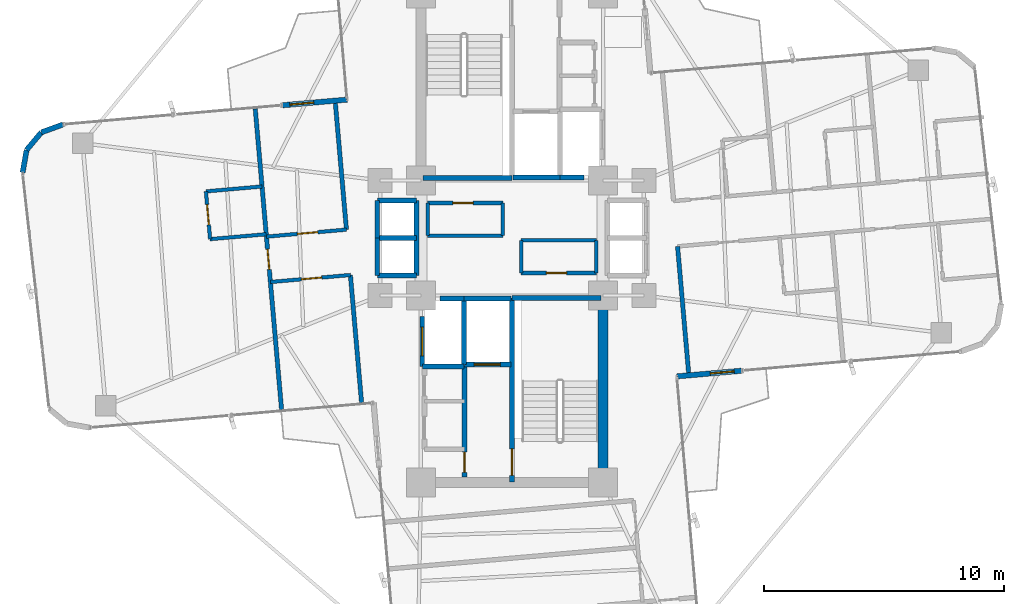
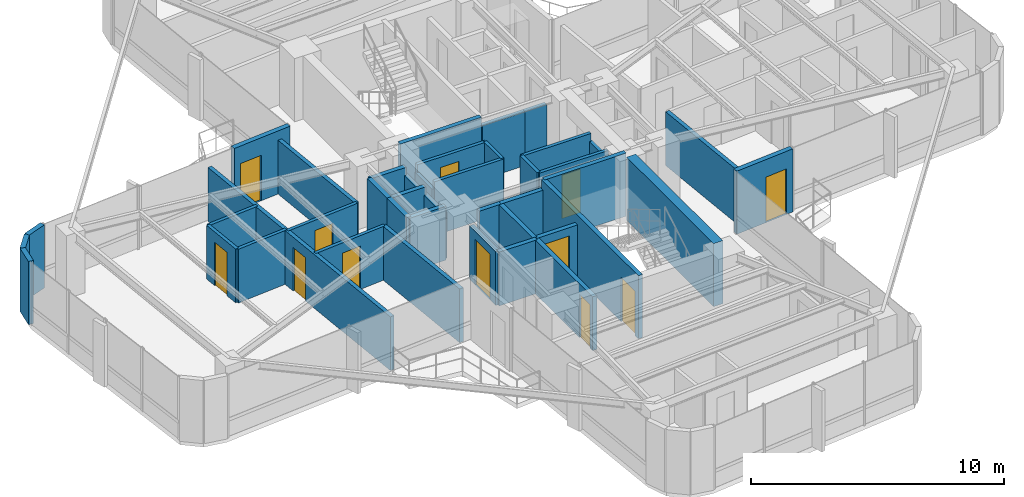
# One storey, part 21 of 24: 41 walls, 12 doors, 12 openings.
"""IFC4 building model written with IfcOpenShell, lengths in metres."""

from ifc_helpers import new_model, si_unit, direction, frame, frame_2d, origin, origin_2d, place, context, subcontext, project, spatial, rectangle, extrude, source, transform, mapped, material, layer, layer_set, type_object, element, fill, save


model = new_model("IFC4")

# Units and contexts
model_context = context("Model", 3, precision=1e-05, world=origin(), true_north=direction((0.0, 1.0)))
body_context = subcontext(model_context, "Body", "Model", "MODEL_VIEW")
ifc_project = project(units=[si_unit("LENGTHUNIT", "METRE"), si_unit("AREAUNIT", "SQUARE_METRE"), si_unit("VOLUMEUNIT", "CUBIC_METRE"), si_unit("PLANEANGLEUNIT", "RADIAN"), si_unit("MASSUNIT", "GRAM", prefix="KILO")], contexts=[model_context])

# Site, building, storey
site_placement = place(None, origin())
site = spatial("IfcSite", under=ifc_project, at=site_placement, CompositionType="ELEMENT")
building_placement = place(site_placement, origin())
building = spatial("IfcBuilding", under=site, at=building_placement, Name="Sahyath Konkavel Grand Hotel", CompositionType="ELEMENT")
storey_placement = place(building_placement, frame((0.0, 0.0, 167.35009765625)))
storey = spatial("IfcBuildingStorey", under=building, at=storey_placement, Name="L46", CompositionType="ELEMENT", Elevation=167.35009765625)

# Wall
ifc_material_1 = material(Name="Concrete C50/60", Category="concrete")
ifc_layer_1 = layer(ifc_material_1, 0.419921875)
ifc_layer_set_1 = layer_set([ifc_layer_1], Name="Concrete C50/60")
wall_type_1 = type_object("IfcWallType", Name="CWALL-420", PredefinedType="SHEAR", material=ifc_layer_set_1)
wall_1_placement = place(storey_placement, frame((3.800048828125, -9.75, 0.0), z_axis=(0.0, 0.0, 1.0), x_axis=(0.0, 1.0, 0.0)))
element("IfcWall", 1, at=wall_1_placement, inside=storey, type_object=wall_type_1, Name="L46 South Core Shear Wall E", PredefinedType="SHEAR", context=body_context, shape_type="SweptSolid", body=[
    extrude(rectangle(XDim=6.89990234375, YDim=0.419921875, at=frame_2d((3.449951171875, 0.0))), origin(), (0.0, 0.0, 1.0), 3.0498046875),
])

# Wall, opening, door
ifc_material_2 = material(Name="Warm Buff Sandstone Insulated Concrete C40/50", Category="masonry")
ifc_layer_2 = layer(ifc_material_2, 0.219970703125)
ifc_layer_set_2 = layer_set([ifc_layer_2], Name="Warm Buff Sandstone Insulated Concrete C40/50")
wall_type_2 = type_object("IfcWallType", Name="WLL-BALC-THRESH", PredefinedType="STANDARD", material=ifc_layer_set_2)
wall_2_placement = place(storey_placement, frame((6.87939453125, -5.7724609375, 0.0), z_axis=(0.0, 0.0, 1.0), x_axis=(0.996193619346, 0.087168071984, 0.0)))
wall_2 = element("IfcWall", 2, at=wall_2_placement, inside=storey, type_object=wall_type_2, Name="L46 Winter-Garden Threshold Wall 0", PredefinedType="STANDARD", context=body_context, shape_type="SweptSolid", body=[
    extrude(rectangle(XDim=2.699951171875, YDim=0.219970703125, at=frame_2d((1.35009765625, 0.0))), origin(), (0.0, 0.0, 1.0), 3.0498046875),
])
opening_1_placement = place(wall_2_placement, frame((1.39990234375, 0.0, 0.0)))
opening_1 = element("IfcOpeningElement", 3, at=opening_1_placement, cuts=wall_2, Name="Opening D-TR1", PredefinedType="OPENING", context=body_context, shape_type="SweptSolid", body=[
    extrude(rectangle(XDim=1.0, YDim=2.199951171875, at=frame_2d((0.5, 1.10009765625))), frame((0.0, 0.1201171875, 0.0), z_axis=(0.0, -1.0, 0.0), x_axis=(1.0, 0.0, 0.0)), (0.0, 0.0, 1.0), 0.239990234375),
])
ifc_material_3 = material(Name="Anodised Bronze Aluminium & Low-E Glazing", Category="aluminium")
door_type_1 = type_object("IfcDoorType", Name="DR-TERRACE-1000", OperationType="NOTDEFINED", PredefinedType="DOOR", material=ifc_material_3)
shared_shape_1 = source(origin(), body_context, "Body", "SweptSolid", [
    extrude(rectangle(XDim=1.0, YDim=0.050048828125, at=origin_2d()), origin(), (0.0, 0.0, 1.0), 2.199951171875),
])
door_1_placement = place(opening_1_placement, frame((0.5, 0.0, 0.0)))
door_1 = element("IfcDoor", 4, at=door_1_placement, inside=storey, type_object=door_type_1, Name="L46 Winter-Garden Terrace Door 0", OperationType="SINGLE_SWING_LEFT", OverallHeight=2.199951171875, OverallWidth=1.0, PredefinedType="DOOR", context=body_context, shape_type="MappedRepresentation", body=[
    mapped(shared_shape_1, transform((0.0, 0.0, 0.0), scale=1.0)),
])
fill(opening_1, door_1)

wall_3_placement = place(storey_placement, frame((-6.87939453125, 5.7724609375, 0.0), z_axis=(0.0, 0.0, 1.0), x_axis=(-0.996193619346, -0.087168071984, 0.0)))
wall_3 = element("IfcWall", 5, at=wall_3_placement, inside=storey, type_object=wall_type_2, Name="L46 Winter-Garden Threshold Wall 16", PredefinedType="STANDARD", context=body_context, shape_type="SweptSolid", body=[
    extrude(rectangle(XDim=2.699951171875, YDim=0.219970703125, at=frame_2d((1.35009765625, 0.0))), origin(), (0.0, 0.0, 1.0), 3.0498046875),
])
opening_2_placement = place(wall_3_placement, frame((1.39990234375, 0.0, 0.0)))
opening_2 = element("IfcOpeningElement", 6, at=opening_2_placement, cuts=wall_3, Name="Opening D-TR1", PredefinedType="OPENING", context=body_context, shape_type="SweptSolid", body=[
    extrude(rectangle(XDim=1.0, YDim=2.199951171875, at=frame_2d((0.5, 1.10009765625))), frame((0.0, 0.1201171875, 0.0), z_axis=(0.0, -1.0, 0.0), x_axis=(1.0, 0.0, 0.0)), (0.0, 0.0, 1.0), 0.239990234375),
])
door_2_placement = place(opening_2_placement, frame((0.5, 0.0, 0.0)))
door_2 = element("IfcDoor", 7, at=door_2_placement, inside=storey, type_object=door_type_1, Name="L46 Winter-Garden Terrace Door 16", OperationType="SINGLE_SWING_LEFT", OverallHeight=2.199951171875, OverallWidth=1.0, PredefinedType="DOOR", context=body_context, shape_type="MappedRepresentation", body=[
    mapped(shared_shape_1, transform((0.0, 0.0, 0.0), scale=1.0)),
])
fill(opening_2, door_2)

# Walls
wall_4_placement = place(storey_placement, frame((-18.73388671875, 4.735107421875, 0.0), z_axis=(0.0, 0.0, 1.0), x_axis=(-0.939741306239, -0.34188635151, 0.0)))
element("IfcWall", 8, at=wall_4_placement, inside=storey, type_object=wall_type_2, Name="L46 Rounded Corner Sandstone Pier 17", PredefinedType="STANDARD", context=body_context, shape_type="SweptSolid", body=[
    extrude(rectangle(XDim=0.95751953125, YDim=0.219970703125, at=frame_2d((0.478759765625, 0.0))), origin(), (0.0, 0.0, 1.0), 3.0498046875),
])
for number, where, z_axis, x_axis, name in (
    (9, (-19.6337890625, 4.40771484375, 0.0), (0.0, 0.0, 1.0), (-0.642863236823, -0.765980978054, 0.0), "L46 Rounded Corner Sandstone Pier 18"),
    (10, (-20.24951171875, 3.674072265625, 0.0), (0.0, 0.0, 1.0), (-0.173610811841, -0.984814340885, 0.0), "L46 Rounded Corner Sandstone Pier 19"),
):
    element("IfcWall", number, at=place(storey_placement, frame(where, z_axis=z_axis, x_axis=x_axis)), inside=storey, type_object=wall_type_2, Name=name, PredefinedType="STANDARD", context=body_context, shape_type="SweptSolid", body=[
        extrude(rectangle(XDim=0.957763671875, YDim=0.219970703125, at=frame_2d((0.47900390625, 0.0))), origin(), (0.0, 0.0, 1.0), 3.0498046875),
    ])
ifc_material_4 = material(Name="Concrete C40/50", Category="concrete")
ifc_layer_3 = layer(ifc_material_4, 0.199951171875)
ifc_layer_set_3 = layer_set([ifc_layer_3], Name="Concrete C40/50")
wall_type_3 = type_object("IfcWallType", Name="WLL-CORE-200", PredefinedType="SOLIDWALL", material=ifc_layer_set_3)
wall_5_placement = place(storey_placement, frame((-3.719970703125, 2.5, 0.0), z_axis=(0.0, 0.0, 1.0), x_axis=(1.0, 0.0, 0.0)))
element("IfcWall", 11, at=wall_5_placement, inside=storey, type_object=wall_type_3, Name="L46 Stair ST-1 Shaft Wall S", PredefinedType="SOLIDWALL", context=body_context, shape_type="SweptSolid", body=[
    extrude(rectangle(XDim=3.719970703125, YDim=0.199951171875, at=frame_2d((1.85986328125, 0.0))), origin(), (0.0, 0.0, 1.0), 3.0498046875),
])

# Wall, opening, door
wall_6_placement = place(storey_placement, frame((0.0, -10.179931640625, 0.0), z_axis=(0.0, 0.0, 1.0), x_axis=(0.0, 1.0, 0.0)))
wall_6 = element("IfcWall", 12, at=wall_6_placement, inside=storey, type_object=wall_type_3, Name="L46 Stair ST-2 Shaft Wall W", PredefinedType="SOLIDWALL", context=body_context, shape_type="SweptSolid", body=[
    extrude(rectangle(XDim=7.679931640625, YDim=0.199951171875, at=frame_2d((3.83984375, 0.0))), origin(), (0.0, 0.0, 1.0), 3.0498046875),
])
opening_3_placement = place(wall_6_placement, frame((0.280029296875, 0.0, 0.0)))
opening_3 = element("IfcOpeningElement", 13, at=opening_3_placement, cuts=wall_6, Name="Opening D-F12B", PredefinedType="OPENING", context=body_context, shape_type="SweptSolid", body=[
    extrude(rectangle(XDim=1.10009765625, YDim=2.14990234375, at=frame_2d((0.550048828125, 1.074951171875))), frame((0.0, 0.10986328125, 0.0), z_axis=(0.0, -1.0, 0.0), x_axis=(1.0, 0.0, 0.0)), (0.0, 0.0, 1.0), 0.219970703125),
])
ifc_material_5 = material(Name="Steel E350 Smokeproof Fire Door", Category="steel")
door_type_2 = type_object("IfcDoorType", Name="DR-FD120-1100", OperationType="NOTDEFINED", PredefinedType="DOOR", material=ifc_material_5)
shared_shape_2 = source(origin(), body_context, "Body", "SweptSolid", [
    extrude(rectangle(XDim=1.10009765625, YDim=0.050048828125, at=origin_2d()), origin(), (0.0, 0.0, 1.0), 2.14990234375),
])
door_3_placement = place(opening_3_placement, frame((0.550048828125, 0.0, 0.0)))
door_3 = element("IfcDoor", 14, at=door_3_placement, inside=storey, type_object=door_type_2, Name="L46 Stair ST-2 Fire Door", OperationType="SINGLE_SWING_LEFT", OverallHeight=2.14990234375, OverallWidth=1.10009765625, PredefinedType="DOOR", context=body_context, shape_type="MappedRepresentation", body=[
    mapped(shared_shape_2, transform((0.0, 0.0, 0.0), scale=1.0)),
])
fill(opening_3, door_3)

# Wall
wall_7_placement = place(storey_placement, frame((0.0, -2.5, 0.0), z_axis=(0.0, 0.0, 1.0), x_axis=(1.0, 0.0, 0.0)))
element("IfcWall", 15, at=wall_7_placement, inside=storey, type_object=wall_type_3, Name="L46 Stair ST-2 Shaft Wall N", PredefinedType="SOLIDWALL", context=body_context, shape_type="SweptSolid", body=[
    extrude(rectangle(XDim=3.719970703125, YDim=0.199951171875, at=frame_2d((1.85986328125, 0.0))), origin(), (0.0, 0.0, 1.0), 3.0498046875),
])

# Wall, opening, door
wall_8_placement = place(storey_placement, frame((-1.97998046875, -9.97998046875, 0.0), z_axis=(0.0, 0.0, 1.0), x_axis=(0.0, 1.0, 0.0)))
wall_8 = element("IfcWall", 16, at=wall_8_placement, inside=storey, type_object=wall_type_3, Name="L46 South Firefighting Lobby Wall W", PredefinedType="SOLIDWALL", context=body_context, shape_type="SweptSolid", body=[
    extrude(rectangle(XDim=4.659912109375, YDim=0.199951171875, at=frame_2d((2.330078125, 0.0))), origin(), (0.0, 0.0, 1.0), 2.599853515625),
])
opening_4_placement = place(wall_8_placement, frame((0.199951171875, 0.0, 0.0)))
opening_4 = element("IfcOpeningElement", 17, at=opening_4_placement, cuts=wall_8, Name="Opening D-F12D", PredefinedType="OPENING", context=body_context, shape_type="SweptSolid", body=[
    extrude(rectangle(XDim=0.85009765625, YDim=2.10009765625, at=frame_2d((0.425048828125, 1.050048828125))), frame((0.0, 0.10986328125, 0.0), z_axis=(0.0, -1.0, 0.0), x_axis=(1.0, 0.0, 0.0)), (0.0, 0.0, 1.0), 0.219970703125),
])
ifc_material_6 = material(Name="Steel E350 Core Fire Door", Category="steel")
door_type_3 = type_object("IfcDoorType", Name="DR-FD120-850", OperationType="NOTDEFINED", PredefinedType="DOOR", material=ifc_material_6)
shared_shape_3 = source(origin(), body_context, "Body", "SweptSolid", [
    extrude(rectangle(XDim=0.85009765625, YDim=0.050048828125, at=origin_2d()), origin(), (0.0, 0.0, 1.0), 2.10009765625),
])
door_4_placement = place(opening_4_placement, frame((0.425048828125, 0.0, 0.0)))
door_4 = element("IfcDoor", 18, at=door_4_placement, inside=storey, type_object=door_type_3, Name="L46 South Firefighting Lobby Door", OperationType="SINGLE_SWING_LEFT", OverallHeight=2.10009765625, OverallWidth=0.85009765625, PredefinedType="DOOR", context=body_context, shape_type="MappedRepresentation", body=[
    mapped(shared_shape_3, transform((0.0, 0.0, 0.0), scale=1.0)),
])
fill(opening_4, door_4)

# Walls
wall_9_placement = place(storey_placement, frame((0.050048828125, 2.52001953125, 0.0), z_axis=(0.0, 0.0, 1.0), x_axis=(1.0, 0.0, 0.0)))
element("IfcWall", 19, at=wall_9_placement, inside=storey, type_object=wall_type_3, Name="L46 Partition SH-FFL1-S", PredefinedType="SOLIDWALL", context=body_context, shape_type="SweptSolid", body=[
    extrude(rectangle(XDim=1.949951171875, YDim=0.199951171875, at=frame_2d((0.97509765625, 0.0))), origin(), (0.0, 0.0, 1.0), 2.599853515625),
])
wall_10_placement = place(storey_placement, frame((-2.0, -5.280029296875, 0.0), z_axis=(0.0, 0.0, 1.0), x_axis=(0.0, 1.0, 0.0)))
element("IfcWall", 20, at=wall_10_placement, inside=storey, type_object=wall_type_3, Name="L46 Partition SH-FFL2-W", PredefinedType="SOLIDWALL", context=body_context, shape_type="SweptSolid", body=[
    extrude(rectangle(XDim=2.780029296875, YDim=0.199951171875, at=frame_2d((1.39013671875, 0.0))), origin(), (0.0, 0.0, 1.0), 2.599853515625),
])
wall_11_placement = place(storey_placement, frame((-2.0, -2.52001953125, 0.0), z_axis=(0.0, 0.0, 1.0), x_axis=(1.0, 0.0, 0.0)))
element("IfcWall", 21, at=wall_11_placement, inside=storey, type_object=wall_type_3, Name="L46 Partition SH-FFL2-N", PredefinedType="SOLIDWALL", context=body_context, shape_type="SweptSolid", body=[
    extrude(rectangle(XDim=1.949951171875, YDim=0.199951171875, at=frame_2d((0.97509765625, 0.0))), origin(), (0.0, 0.0, 1.0), 2.599853515625),
])

# Wall, opening, door
wall_12_placement = place(storey_placement, frame((-1.97998046875, -5.280029296875, 0.0), z_axis=(0.0, 0.0, 1.0), x_axis=(1.0, 0.0, 0.0)))
wall_12 = element("IfcWall", 22, at=wall_12_placement, inside=storey, type_object=wall_type_3, Name="L46 Partition SH-FFL2-S", PredefinedType="SOLIDWALL", context=body_context, shape_type="SweptSolid", body=[
    extrude(rectangle(XDim=1.929931640625, YDim=0.199951171875, at=frame_2d((0.96484375, 0.0))), origin(), (0.0, 0.0, 1.0), 2.599853515625),
])
opening_5_placement = place(wall_12_placement, frame((0.39990234375, 0.0, 0.0)))
opening_5 = element("IfcOpeningElement", 23, at=opening_5_placement, cuts=wall_12, Name="Opening LD-11", PredefinedType="OPENING", context=body_context, shape_type="SweptSolid", body=[
    extrude(rectangle(XDim=1.10009765625, YDim=2.199951171875, at=frame_2d((0.550048828125, 1.10009765625))), frame((0.0, 0.10986328125, 0.0), z_axis=(0.0, -1.0, 0.0), x_axis=(1.0, 0.0, 0.0)), (0.0, 0.0, 1.0), 0.219970703125),
])
ifc_material_7 = material(Name="Bronze Lift Landing Door 1100")
door_type_4 = type_object("IfcDoorType", Name="DR-LIFT-1100", OperationType="DOUBLE_DOOR_SLIDING", PredefinedType="DOOR", material=ifc_material_7)
shared_shape_4 = source(origin(), body_context, "Body", "SweptSolid", [
    extrude(rectangle(XDim=1.10009765625, YDim=0.050048828125, at=origin_2d()), origin(), (0.0, 0.0, 1.0), 2.199951171875),
])
door_5_placement = place(opening_5_placement, frame((0.550048828125, 0.0, 0.0)))
door_5 = element("IfcDoor", 24, at=door_5_placement, inside=storey, type_object=door_type_4, Name="L46 Lift FFL-2 Landing Door", OperationType="DOUBLE_DOOR_SLIDING", OverallHeight=2.199951171875, OverallWidth=1.10009765625, PredefinedType="DOOR", context=body_context, shape_type="MappedRepresentation", body=[
    mapped(shared_shape_4, transform((0.0, 0.0, 0.0), scale=1.0)),
])
fill(opening_5, door_5)

# Walls
for number, where, z_axis, x_axis, name in (
    (25, (2.0, 2.52001953125, 0.0), (0.0, 0.0, 1.0), (1.0, 0.0, 0.0), "L46 Partition SH-SVL1-S"),
    (26, (-3.0, -2.52001953125, 0.0), (0.0, 0.0, 1.0), (1.0, 0.0, 0.0), "L46 Partition SH-SVL2-N"),
):
    element("IfcWall", number, at=place(storey_placement, frame(where, z_axis=z_axis, x_axis=x_axis)), inside=storey, type_object=wall_type_3, Name=name, PredefinedType="SOLIDWALL", context=body_context, shape_type="SweptSolid", body=[
        extrude(rectangle(XDim=1.0, YDim=0.199951171875, at=frame_2d((0.5, 0.0))), origin(), (0.0, 0.0, 1.0), 2.599853515625),
    ])
wall_13_placement = place(storey_placement, frame((-3.739990234375, -5.360107421875, 0.0), z_axis=(0.0, 0.0, 1.0), x_axis=(1.0, 0.0, 0.0)))
element("IfcWall", 27, at=wall_13_placement, inside=storey, type_object=wall_type_3, Name="L46 Partition SH-SVL2-S", PredefinedType="SOLIDWALL", context=body_context, shape_type="SweptSolid", body=[
    extrude(rectangle(XDim=1.739990234375, YDim=0.199951171875, at=frame_2d((0.8701171875, 0.0))), origin(), (0.0, 0.0, 1.0), 2.599853515625),
])

# Wall, opening, door
wall_14_placement = place(storey_placement, frame((-3.739990234375, -5.360107421875, 0.0), z_axis=(0.0, 0.0, 1.0), x_axis=(0.0, 1.0, 0.0)))
wall_14 = element("IfcWall", 28, at=wall_14_placement, inside=storey, type_object=wall_type_3, Name="L46 Partition SH-SVL2-W", PredefinedType="SOLIDWALL", context=body_context, shape_type="SweptSolid", body=[
    extrude(rectangle(XDim=2.080078125, YDim=0.199951171875, at=frame_2d((1.0400390625, 0.0))), origin(), (0.0, 0.0, 1.0), 2.599853515625),
])
opening_6_placement = place(wall_14_placement, frame((0.43994140625, 0.0, 0.0)))
opening_6 = element("IfcOpeningElement", 29, at=opening_6_placement, cuts=wall_14, Name="Opening LD-12", PredefinedType="OPENING", context=body_context, shape_type="SweptSolid", body=[
    extrude(rectangle(XDim=1.199951171875, YDim=2.199951171875, at=frame_2d((0.60009765625, 1.10009765625))), frame((0.0, 0.10986328125, 0.0), z_axis=(0.0, -1.0, 0.0), x_axis=(1.0, 0.0, 0.0)), (0.0, 0.0, 1.0), 0.219970703125),
])
ifc_material_8 = material(Name="Stainless Steel Lift Landing Door 1200", Category="steel")
door_type_5 = type_object("IfcDoorType", Name="DR-LIFT-1200", OperationType="DOUBLE_DOOR_SLIDING", PredefinedType="DOOR", material=ifc_material_8)
shared_shape_5 = source(origin(), body_context, "Body", "SweptSolid", [
    extrude(rectangle(XDim=1.199951171875, YDim=0.050048828125, at=origin_2d()), origin(), (0.0, 0.0, 1.0), 2.199951171875),
])
door_6_placement = place(opening_6_placement, frame((0.60009765625, 0.0, 0.0)))
door_6 = element("IfcDoor", 30, at=door_6_placement, inside=storey, type_object=door_type_5, Name="L46 Service Lift SVL-2 Landing Door", OperationType="DOUBLE_DOOR_SLIDING", OverallHeight=2.199951171875, OverallWidth=1.199951171875, PredefinedType="DOOR", context=body_context, shape_type="MappedRepresentation", body=[
    mapped(shared_shape_5, transform((0.0, 0.0, 0.0), scale=1.0)),
])
fill(opening_6, door_6)

# Walls
wall_15_placement = place(storey_placement, frame((-3.97998046875, -1.56005859375, 0.0), z_axis=(0.0, 0.0, 1.0), x_axis=(0.0, 1.0, 0.0)))
element("IfcWall", 31, at=wall_15_placement, inside=storey, type_object=wall_type_3, Name="L46 Partition SH-SL12-E", PredefinedType="SOLIDWALL", context=body_context, shape_type="SweptSolid", body=[
    extrude(rectangle(XDim=3.1201171875, YDim=0.199951171875, at=frame_2d((1.56005859375, 0.0))), origin(), (0.0, 0.0, 1.0), 2.219970703125),
])
for number, where, z_axis, x_axis, name in (
    (32, (-5.6201171875, 1.56005859375, 0.0), (0.0, 0.0, 1.0), (1.0, 0.0, 0.0), "L46 Partition SH-SL12-N"),
    (33, (-5.6201171875, -1.56005859375, 0.0), (0.0, 0.0, 1.0), (1.0, 0.0, 0.0), "L46 Partition SH-SL12-S"),
    (34, (-5.6201171875, 0.0, 0.0), (0.0, 0.0, 1.0), (1.0, 0.0, 0.0), "L46 Partition SH-SL12-M"),
):
    element("IfcWall", number, at=place(storey_placement, frame(where, z_axis=z_axis, x_axis=x_axis)), inside=storey, type_object=wall_type_3, Name=name, PredefinedType="SOLIDWALL", context=body_context, shape_type="SweptSolid", body=[
        extrude(rectangle(XDim=1.64013671875, YDim=0.199951171875, at=frame_2d((0.820068359375, 0.0))), origin(), (0.0, 0.0, 1.0), 2.599853515625),
    ])
for number, where, z_axis, x_axis, name in (
    (35, (-5.6201171875, 0.0, 0.0), (0.0, 0.0, 1.0), (0.0, 1.0, 0.0), "L46 Partition SH-SL1-W"),
    (36, (-5.6201171875, -1.56005859375, 0.0), (0.0, 0.0, 1.0), (0.0, 1.0, 0.0), "L46 Partition SH-SL2-W"),
):
    element("IfcWall", number, at=place(storey_placement, frame(where, z_axis=z_axis, x_axis=x_axis)), inside=storey, type_object=wall_type_3, Name=name, PredefinedType="SOLIDWALL", context=body_context, shape_type="SweptSolid", body=[
        extrude(rectangle(XDim=1.56005859375, YDim=0.199951171875, at=frame_2d((0.780029296875, 0.0))), origin(), (0.0, 0.0, 1.0), 2.599853515625),
    ])
ifc_material_9 = material(Name="Twin-Stud Acoustic Gypsum Plasterboard Partition")
ifc_layer_4 = layer(ifc_material_9, 0.179931640625)
ifc_layer_set_4 = layer_set([ifc_layer_4], Name="Twin-Stud Acoustic Gypsum Plasterboard Partition")
wall_type_4 = type_object("IfcWallType", Name="WLL-DEMISE-180", PredefinedType="PARTITIONING", material=ifc_layer_set_4)
for number, where, z_axis, x_axis, name in (
    (37, (7.373046875, -5.678955078125, 0.0), (0.0, 0.0, 1.0), (-0.087161289348, 0.996194212812, 0.0), "L46 Partition E-INR"),
    (38, (-6.7412109375, -1.54345703125, 0.0), (0.0, 0.0, 1.0), (0.087161289348, -0.996194212812, 0.0), "L46 Partition W-INL"),
    (39, (-7.373046875, 5.678955078125, 0.0), (0.0, 0.0, 1.0), (0.087161289348, -0.996194212812, 0.0), "L46 Partition W-INR"),
):
    element("IfcWall", number, at=place(storey_placement, frame(where, z_axis=z_axis, x_axis=x_axis)), inside=storey, type_object=wall_type_4, Name=name, PredefinedType="PARTITIONING", context=body_context, shape_type="SweptSolid", body=[
        extrude(rectangle(XDim=5.349853515625, YDim=0.179931640625, at=frame_2d((2.6748046875, 0.0))), origin(), (0.0, 0.0, 1.0), 2.599853515625),
    ])

# Wall, opening, door
wall_16_placement = place(storey_placement, frame((-10.710205078125, 5.386962890625, 0.0), z_axis=(0.0, 0.0, 1.0), x_axis=(0.087154691724, -0.996194790044, 0.0)))
wall_16 = element("IfcWall", 40, at=wall_16_placement, inside=storey, type_object=wall_type_4, Name="L46 Partition W-WTIP-END", PredefinedType="PARTITIONING", context=body_context, shape_type="SweptSolid", body=[
    extrude(rectangle(XDim=12.599853515625, YDim=0.179931640625, at=frame_2d((6.2998046875, 0.0))), origin(), (0.0, 0.0, 1.0), 2.599853515625),
])
opening_7_placement = place(wall_16_placement, frame((5.875, 0.0, 0.0)))
opening_7 = element("IfcOpeningElement", 41, at=opening_7_placement, cuts=wall_16, Name="Opening D-F06D", PredefinedType="OPENING", context=body_context, shape_type="SweptSolid", body=[
    extrude(rectangle(XDim=0.85009765625, YDim=2.10009765625, at=frame_2d((0.425048828125, 1.050048828125))), frame((0.0, 0.10009765625, 0.0), z_axis=(0.0, -1.0, 0.0), x_axis=(1.0, 0.0, 0.0)), (0.0, 0.0, 1.0), 0.199951171875),
])
ifc_material_10 = material(Name="Fire-Rated Shaft Access Door")
door_type_6 = type_object("IfcDoorType", Name="DR-FD60-850", OperationType="NOTDEFINED", PredefinedType="DOOR", material=ifc_material_10)
door_7_placement = place(opening_7_placement, frame((0.425048828125, 0.0, 0.0)))
door_7 = element("IfcDoor", 42, at=door_7_placement, inside=storey, type_object=door_type_6, Name="L46 Door W-WTIP-ED", OperationType="SINGLE_SWING_LEFT", OverallHeight=2.10009765625, OverallWidth=0.85009765625, PredefinedType="DOOR", context=body_context, shape_type="MappedRepresentation", body=[
    mapped(shared_shape_3, transform((0.0, 0.0, 0.0), scale=1.0)),
])
fill(opening_7, door_7)

# Wall
ifc_material_11 = material(Name="Fire-Rated Gypsum Plasterboard Partition")
ifc_layer_5 = layer(ifc_material_11, 0.14990234375)
ifc_layer_set_5 = layer_set([ifc_layer_5], Name="Fire-Rated Gypsum Plasterboard Partition")
wall_type_5 = type_object("IfcWallType", Name="WLL-PART-150", PredefinedType="PARTITIONING", material=ifc_layer_set_5)
wall_17_placement = place(storey_placement, frame((-3.52001953125, 0.10009765625, 0.0), z_axis=(0.0, 0.0, 1.0), x_axis=(1.0, 0.0, 0.0)))
element("IfcWall", 43, at=wall_17_placement, inside=storey, type_object=wall_type_5, Name="L46 Partition CC-3NWS", PredefinedType="PARTITIONING", context=body_context, shape_type="SweptSolid", body=[
    extrude(rectangle(XDim=3.14013671875, YDim=0.14990234375, at=frame_2d((1.570068359375, 0.0))), origin(), (0.0, 0.0, 1.0), 2.599853515625),
])

# Wall, opening, door
wall_18_placement = place(storey_placement, frame((-3.52001953125, 1.4599609375, 0.0), z_axis=(0.0, 0.0, 1.0), x_axis=(1.0, 0.0, 0.0)))
wall_18 = element("IfcWall", 44, at=wall_18_placement, inside=storey, type_object=wall_type_5, Name="L46 Partition CC-3NWN", PredefinedType="PARTITIONING", context=body_context, shape_type="SweptSolid", body=[
    extrude(rectangle(XDim=3.14013671875, YDim=0.14990234375, at=frame_2d((1.570068359375, 0.0))), origin(), (0.0, 0.0, 1.0), 2.599853515625),
])
opening_8_placement = place(wall_18_placement, frame((1.050048828125, 0.0, 0.0)))
opening_8 = element("IfcOpeningElement", 45, at=opening_8_placement, cuts=wall_18, Name="Opening D-F06D", PredefinedType="OPENING", context=body_context, shape_type="SweptSolid", body=[
    extrude(rectangle(XDim=0.85009765625, YDim=2.10009765625, at=frame_2d((0.425048828125, 1.050048828125))), frame((0.0, 0.0849609375, 0.0), z_axis=(0.0, -1.0, 0.0), x_axis=(1.0, 0.0, 0.0)), (0.0, 0.0, 1.0), 0.169921875),
])
door_8_placement = place(opening_8_placement, frame((0.425048828125, 0.0, 0.0)))
door_8 = element("IfcDoor", 46, at=door_8_placement, inside=storey, type_object=door_type_6, Name="L46 Door CC-D3NW", OperationType="SINGLE_SWING_RIGHT", OverallHeight=2.10009765625, OverallWidth=0.85009765625, PredefinedType="DOOR", context=body_context, shape_type="MappedRepresentation", body=[
    mapped(shared_shape_3, transform((0.0, 0.0, 0.0), scale=1.0)),
])
fill(opening_8, door_8)

# Walls
wall_19_placement = place(storey_placement, frame((-3.52001953125, 0.10009765625, 0.0), z_axis=(0.0, 0.0, 1.0), x_axis=(0.0, 1.0, 0.0)))
element("IfcWall", 47, at=wall_19_placement, inside=storey, type_object=wall_type_5, Name="L46 Partition CC-3NWW", PredefinedType="PARTITIONING", context=body_context, shape_type="SweptSolid", body=[
    extrude(rectangle(XDim=1.35986328125, YDim=0.14990234375, at=frame_2d((0.679931640625, 0.0))), origin(), (0.0, 0.0, 1.0), 2.219970703125),
])
wall_20_placement = place(storey_placement, frame((-0.3798828125, 0.10009765625, 0.0), z_axis=(0.0, 0.0, 1.0), x_axis=(0.0, 1.0, 0.0)))
element("IfcWall", 48, at=wall_20_placement, inside=storey, type_object=wall_type_5, Name="L46 Partition CC-3NWE", PredefinedType="PARTITIONING", context=body_context, shape_type="SweptSolid", body=[
    extrude(rectangle(XDim=1.35986328125, YDim=0.14990234375, at=frame_2d((0.679931640625, 0.0))), origin(), (0.0, 0.0, 1.0), 2.599853515625),
])
wall_21_placement = place(storey_placement, frame((0.3798828125, -0.10009765625, 0.0), z_axis=(0.0, 0.0, 1.0), x_axis=(1.0, 0.0, 0.0)))
element("IfcWall", 49, at=wall_21_placement, inside=storey, type_object=wall_type_5, Name="L46 Partition CC-3SEN", PredefinedType="PARTITIONING", context=body_context, shape_type="SweptSolid", body=[
    extrude(rectangle(XDim=3.14013671875, YDim=0.14990234375, at=frame_2d((1.570068359375, 0.0))), origin(), (0.0, 0.0, 1.0), 2.599853515625),
])

# Wall, opening, door
wall_22_placement = place(storey_placement, frame((0.3798828125, -1.4599609375, 0.0), z_axis=(0.0, 0.0, 1.0), x_axis=(1.0, 0.0, 0.0)))
wall_22 = element("IfcWall", 50, at=wall_22_placement, inside=storey, type_object=wall_type_5, Name="L46 Partition CC-3SES", PredefinedType="PARTITIONING", context=body_context, shape_type="SweptSolid", body=[
    extrude(rectangle(XDim=3.14013671875, YDim=0.14990234375, at=frame_2d((1.570068359375, 0.0))), origin(), (0.0, 0.0, 1.0), 2.599853515625),
])
opening_9_placement = place(wall_22_placement, frame((1.050048828125, 0.0, 0.0)))
opening_9 = element("IfcOpeningElement", 51, at=opening_9_placement, cuts=wall_22, Name="Opening D-F06D", PredefinedType="OPENING", context=body_context, shape_type="SweptSolid", body=[
    extrude(rectangle(XDim=0.85009765625, YDim=2.10009765625, at=frame_2d((0.425048828125, 1.050048828125))), frame((0.0, 0.0849609375, 0.0), z_axis=(0.0, -1.0, 0.0), x_axis=(1.0, 0.0, 0.0)), (0.0, 0.0, 1.0), 0.169921875),
])
door_9_placement = place(opening_9_placement, frame((0.425048828125, 0.0, 0.0)))
door_9 = element("IfcDoor", 52, at=door_9_placement, inside=storey, type_object=door_type_6, Name="L46 Door CC-D3SE", OperationType="SINGLE_SWING_LEFT", OverallHeight=2.10009765625, OverallWidth=0.85009765625, PredefinedType="DOOR", context=body_context, shape_type="MappedRepresentation", body=[
    mapped(shared_shape_3, transform((0.0, 0.0, 0.0), scale=1.0)),
])
fill(opening_9, door_9)

# Walls
wall_23_placement = place(storey_placement, frame((0.3798828125, -1.4599609375, 0.0), z_axis=(0.0, 0.0, 1.0), x_axis=(0.0, 1.0, 0.0)))
element("IfcWall", 53, at=wall_23_placement, inside=storey, type_object=wall_type_5, Name="L46 Partition CC-3SEW", PredefinedType="PARTITIONING", context=body_context, shape_type="SweptSolid", body=[
    extrude(rectangle(XDim=1.35986328125, YDim=0.14990234375, at=frame_2d((0.679931640625, 0.0))), origin(), (0.0, 0.0, 1.0), 2.599853515625),
])
wall_24_placement = place(storey_placement, frame((3.52001953125, -1.4599609375, 0.0), z_axis=(0.0, 0.0, 1.0), x_axis=(0.0, 1.0, 0.0)))
element("IfcWall", 54, at=wall_24_placement, inside=storey, type_object=wall_type_5, Name="L46 Partition CC-3SEE", PredefinedType="PARTITIONING", context=body_context, shape_type="SweptSolid", body=[
    extrude(rectangle(XDim=1.35986328125, YDim=0.14990234375, at=frame_2d((0.679931640625, 0.0))), origin(), (0.0, 0.0, 1.0), 2.219970703125),
])

# Wall, opening, door
wall_25_placement = place(storey_placement, frame((-6.7412109375, -1.54345703125, 0.0), z_axis=(0.0, 0.0, 1.0), x_axis=(-0.996193954812, -0.087164238054, 0.0)))
wall_25 = element("IfcWall", 55, at=wall_25_placement, inside=storey, type_object=wall_type_5, Name="L46 Partition W-CL", PredefinedType="PARTITIONING", context=body_context, shape_type="SweptSolid", body=[
    extrude(rectangle(XDim=3.349853515625, YDim=0.14990234375, at=frame_2d((1.6748046875, 0.0))), origin(), (0.0, 0.0, 1.0), 2.599853515625),
])
opening_10_placement = place(wall_25_placement, frame((1.199951171875, 0.0, 0.0)))
opening_10 = element("IfcOpeningElement", 56, at=opening_10_placement, cuts=wall_25, Name="Opening D-F06D", PredefinedType="OPENING", context=body_context, shape_type="SweptSolid", body=[
    extrude(rectangle(XDim=0.85009765625, YDim=2.10009765625, at=frame_2d((0.425048828125, 1.050048828125))), frame((0.0, 0.0849609375, 0.0), z_axis=(0.0, -1.0, 0.0), x_axis=(1.0, 0.0, 0.0)), (0.0, 0.0, 1.0), 0.169921875),
])
door_10_placement = place(opening_10_placement, frame((0.425048828125, 0.0, 0.0)))
door_10 = element("IfcDoor", 57, at=door_10_placement, inside=storey, type_object=door_type_6, Name="L46 Door W-WS3L-D", OperationType="SINGLE_SWING_RIGHT", OverallHeight=2.10009765625, OverallWidth=0.85009765625, PredefinedType="DOOR", context=body_context, shape_type="MappedRepresentation", body=[
    mapped(shared_shape_3, transform((0.0, 0.0, 0.0), scale=1.0)),
])
fill(opening_10, door_10)

wall_26_placement = place(storey_placement, frame((-6.90673828125, 0.349365234375, 0.0), z_axis=(0.0, 0.0, 1.0), x_axis=(-0.996193954812, -0.087164238054, 0.0)))
wall_26 = element("IfcWall", 58, at=wall_26_placement, inside=storey, type_object=wall_type_5, Name="L46 Partition W-CR", PredefinedType="PARTITIONING", context=body_context, shape_type="SweptSolid", body=[
    extrude(rectangle(XDim=3.349853515625, YDim=0.14990234375, at=frame_2d((1.6748046875, 0.0))), origin(), (0.0, 0.0, 1.0), 2.599853515625),
])
opening_11_placement = place(wall_26_placement, frame((1.199951171875, 0.0, 0.0)))
opening_11 = element("IfcOpeningElement", 59, at=opening_11_placement, cuts=wall_26, Name="Opening D-F06D", PredefinedType="OPENING", context=body_context, shape_type="SweptSolid", body=[
    extrude(rectangle(XDim=0.85009765625, YDim=2.10009765625, at=frame_2d((0.425048828125, 1.050048828125))), frame((0.0, 0.0849609375, 0.0), z_axis=(0.0, -1.0, 0.0), x_axis=(1.0, 0.0, 0.0)), (0.0, 0.0, 1.0), 0.169921875),
])
door_11_placement = place(opening_11_placement, frame((0.425048828125, 0.0, 0.0)))
door_11 = element("IfcDoor", 60, at=door_11_placement, inside=storey, type_object=door_type_6, Name="L46 Door W-WS3R-D", OperationType="SINGLE_SWING_LEFT", OverallHeight=2.10009765625, OverallWidth=0.85009765625, PredefinedType="DOOR", context=body_context, shape_type="MappedRepresentation", body=[
    mapped(shared_shape_3, transform((0.0, 0.0, 0.0), scale=1.0)),
])
fill(opening_11, door_11)

# Walls
for number, where, z_axis, x_axis, name in (
    (61, (-10.252685546875, 0.156982421875, 0.0), (0.0, 0.0, 1.0), (-0.996194055785, -0.087163084034, 0.0), "L46 Partition W-WTIP-BN"),
    (62, (-10.427001953125, 2.1494140625, 0.0), (0.0, 0.0, 1.0), (-0.996194055785, -0.087163084034, 0.0), "L46 Partition W-WTIP-BS"),
):
    element("IfcWall", number, at=place(storey_placement, frame(where, z_axis=z_axis, x_axis=x_axis)), inside=storey, type_object=wall_type_5, Name=name, PredefinedType="PARTITIONING", context=body_context, shape_type="SweptSolid", body=[
        extrude(rectangle(XDim=2.35009765625, YDim=0.14990234375, at=frame_2d((1.175048828125, 0.0))), origin(), (0.0, 0.0, 1.0), 2.599853515625),
    ])

# Wall, opening, door
wall_27_placement = place(storey_placement, frame((-12.76806640625, 1.944580078125, 0.0), z_axis=(0.0, 0.0, 1.0), x_axis=(0.087156350505, -0.99619464492, 0.0)))
wall_27 = element("IfcWall", 63, at=wall_27_placement, inside=storey, type_object=wall_type_5, Name="L46 Partition W-WTIP-BE", PredefinedType="PARTITIONING", context=body_context, shape_type="SweptSolid", body=[
    extrude(rectangle(XDim=2.0, YDim=0.14990234375, at=frame_2d((1.0, 0.0))), origin(), (0.0, 0.0, 1.0), 2.599853515625),
])
opening_12_placement = place(wall_27_placement, frame((0.550048828125, 0.0, 0.0)))
opening_12 = element("IfcOpeningElement", 64, at=opening_12_placement, cuts=wall_27, Name="Opening D-BT85", PredefinedType="OPENING", context=body_context, shape_type="SweptSolid", body=[
    extrude(rectangle(XDim=0.85009765625, YDim=2.10009765625, at=frame_2d((0.425048828125, 1.050048828125))), frame((0.0, 0.0849609375, 0.0), z_axis=(0.0, -1.0, 0.0), x_axis=(1.0, 0.0, 0.0)), (0.0, 0.0, 1.0), 0.169921875),
])
ifc_material_12 = material(Name="Moisture-Resistant Teak Bathroom Door")
door_type_7 = type_object("IfcDoorType", Name="DR-BATH-850", OperationType="NOTDEFINED", PredefinedType="DOOR", material=ifc_material_12)
door_12_placement = place(opening_12_placement, frame((0.425048828125, 0.0, 0.0)))
door_12 = element("IfcDoor", 65, at=door_12_placement, inside=storey, type_object=door_type_7, Name="L46 Door W-WTIP-BD", OperationType="SINGLE_SWING_RIGHT", OverallHeight=2.10009765625, OverallWidth=0.85009765625, PredefinedType="DOOR", context=body_context, shape_type="MappedRepresentation", body=[
    mapped(shared_shape_3, transform((0.0, 0.0, 0.0), scale=1.0)),
])
fill(opening_12, door_12)

save(model, "model.ifc")
